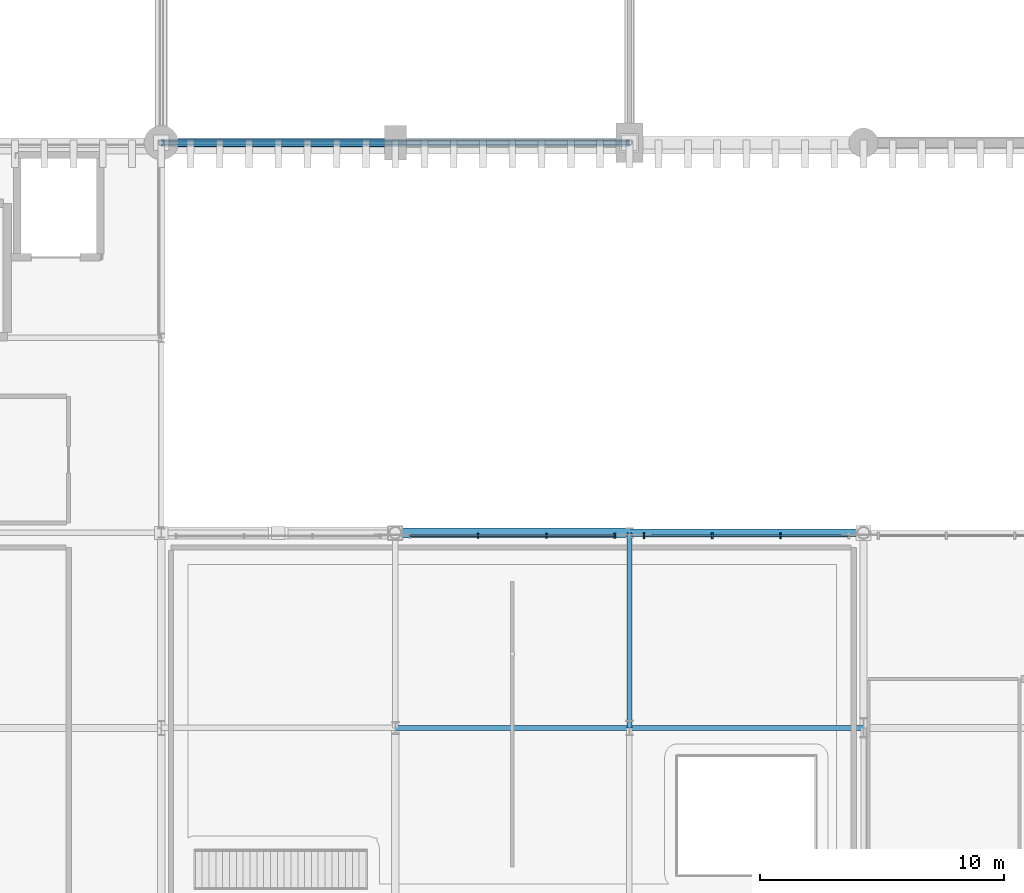
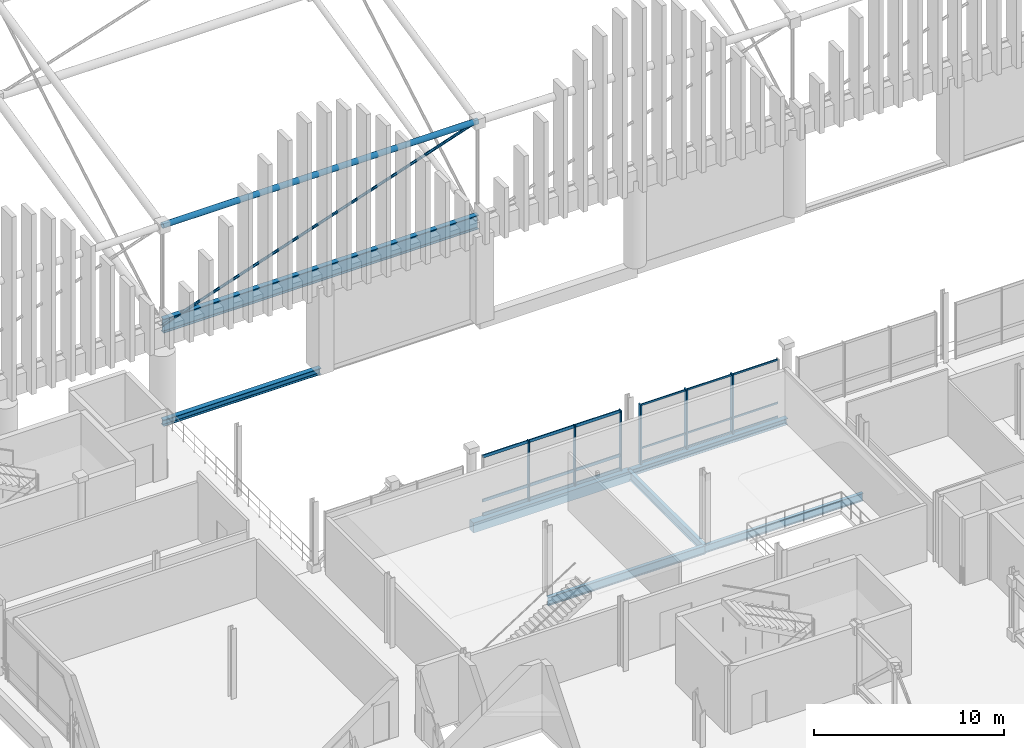
# One storey, part 32 of 193: 14 members, 7 beams, 2 elements without a shape of their own.
"""IFC4 building model written with IfcOpenShell, lengths in metres."""

from ifc_helpers import new_model, si_unit, direction, frame, origin, origin_2d, place, context, subcontext, project, spatial, rectangle, hollow_circle, i_section, extrude, material, material_profile, profile_set, type_object, element, aggregate, save


model = new_model("IFC4")

# Units and contexts
model_context = context("Model", 3, precision=1e-05, world=origin(), true_north=direction((0.0, 1.0)))
body_context = subcontext(model_context, "Body", "Model", "MODEL_VIEW")
ifc_project = project(units=[si_unit("LENGTHUNIT", "METRE"), si_unit("AREAUNIT", "SQUARE_METRE"), si_unit("VOLUMEUNIT", "CUBIC_METRE"), si_unit("PLANEANGLEUNIT", "RADIAN"), si_unit("MASSUNIT", "GRAM", prefix="KILO")], contexts=[model_context])

# Site, building, storey
site_placement = place(None, origin())
site = spatial("IfcSite", under=ifc_project, at=site_placement, CompositionType="ELEMENT")
building_placement = place(site_placement, origin())
building = spatial("IfcBuilding", under=site, at=building_placement, Name="Danafjord Basin Convention Centre", CompositionType="ELEMENT")
storey_placement = place(building_placement, frame((0.0, 0.0, 11.39990234375)))
storey = spatial("IfcBuildingStorey", under=building, at=storey_placement, Name="L02", CompositionType="ELEMENT", Elevation=11.39990234375)

# Beams
ifc_material_1 = material(Name="Steel S355", Category="steel")
ifc_material_profile_1 = material_profile(ifc_material_1, i_section(OverallWidth=0.300048828125, OverallDepth=0.89990234375, WebThickness=0.0185546875, FlangeThickness=0.034912109375, FilletRadius=0.030029296875, at=origin_2d()), Name="HEB 900")
ifc_profile_set_1 = profile_set([ifc_material_profile_1], Name="Steel S355")
beam_type_1 = type_object("IfcBeamType", Name="BEAM-BM-HEB900", PredefinedType="BEAM", material=ifc_profile_set_1)
beam_1_placement = place(storey_placement, frame((19.199951171875, 56.0, 6.050048828125), z_axis=(1.0, 0.0, 0.0), x_axis=(0.0, 1.0, 0.0)))
element("IfcBeam", 1, at=beam_1_placement, inside=storey, type_object=beam_type_1, Name="V1 space-frame perimeter ring girder", PredefinedType="BEAM", context=body_context, shape_type="SweptSolid", body=[
    extrude(i_section(OverallWidth=0.300048828125, OverallDepth=0.89990234375, WebThickness=0.0185546875, FlangeThickness=0.034912109375, FilletRadius=0.030029296875, at=origin_2d()), origin(), (0.0, 0.0, 1.0), 19.199951171875),
])
ifc_material_profile_2 = material_profile(ifc_material_1, i_section(OverallWidth=0.199951171875, OverallDepth=0.5, WebThickness=0.01025390625, FlangeThickness=0.01611328125, FilletRadius=0.02099609375, at=origin_2d()), Name="IPE 500")
ifc_profile_set_2 = profile_set([ifc_material_profile_2], Name="Steel S355")
beam_type_2 = type_object("IfcBeamType", Name="BEAM-BM-IPE500", PredefinedType="BEAM", material=ifc_profile_set_2)
beam_2_placement = place(storey_placement, frame((38.39990234375, 32.0, -0.5), z_axis=(1.0, 0.0, 0.0), x_axis=(0.0, 1.0, 0.0)))
element("IfcBeam", 2, at=beam_2_placement, inside=storey, type_object=beam_type_2, Name="L02 girder BM-IPE500", PredefinedType="BEAM", context=body_context, shape_type="SweptSolid", body=[
    extrude(i_section(OverallWidth=0.199951171875, OverallDepth=0.5, WebThickness=0.01025390625, FlangeThickness=0.01611328125, FilletRadius=0.02099609375, at=origin_2d()), origin(), (0.0, 0.0, 1.0), 9.60009765625),
])
ifc_material_profile_3 = material_profile(ifc_material_1, i_section(OverallWidth=0.2099609375, OverallDepth=0.550048828125, WebThickness=0.010986328125, FlangeThickness=0.01708984375, FilletRadius=0.02392578125, at=origin_2d()), Name="IPE 550")
ifc_profile_set_3 = profile_set([ifc_material_profile_3], Name="Steel S355")
beam_type_3 = type_object("IfcBeamType", Name="BEAM-BM-IPE550", PredefinedType="BEAM", material=ifc_profile_set_3)
beam_3_placement = place(storey_placement, frame((28.800048828125, 32.0, -0.52490234375), z_axis=(1.0, 0.0, 0.0), x_axis=(0.0, 1.0, 0.0)))
element("IfcBeam", 3, at=beam_3_placement, inside=storey, type_object=beam_type_3, Name="L02 girder BM-IPE550", PredefinedType="BEAM", context=body_context, shape_type="SweptSolid", body=[
    extrude(i_section(OverallWidth=0.2099609375, OverallDepth=0.550048828125, WebThickness=0.010986328125, FlangeThickness=0.01708984375, FilletRadius=0.02392578125, at=origin_2d()), origin(), (0.0, 0.0, 1.0), 9.599853515625),
])
beam_4_placement = place(storey_placement, frame((38.39990234375, 32.0, -0.52490234375), z_axis=(0.0, 1.0, 0.0), x_axis=(-1.0, 0.0, 0.0)))
element("IfcBeam", 4, at=beam_4_placement, inside=storey, type_object=beam_type_3, Name="L02 transverse girder BM-IPE550", PredefinedType="BEAM", context=body_context, shape_type="SweptSolid", body=[
    extrude(i_section(OverallWidth=0.2099609375, OverallDepth=0.550048828125, WebThickness=0.010986328125, FlangeThickness=0.01708984375, FilletRadius=0.02392578125, at=origin_2d()), origin(), (0.0, 0.0, 1.0), 8.0),
])
ifc_material_profile_4 = material_profile(ifc_material_1, i_section(OverallWidth=0.300048828125, OverallDepth=0.39990234375, WebThickness=0.013427734375, FlangeThickness=0.02392578125, FilletRadius=0.027099609375, at=origin_2d()), Name="HEB 400")
ifc_profile_set_4 = profile_set([ifc_material_profile_4], Name="Steel S355")
beam_type_4 = type_object("IfcBeamType", Name="BEAM-SP-HEB400", PredefinedType="SPANDREL", material=ifc_profile_set_4)
for number, where, z_axis, x_axis, name in (
    (5, (19.199951171875, 56.0, -0.199951171875), (1.0, 0.0, 0.0), (0.0, 1.0, 0.0), "L02 girder SP-HEB400"),
    (6, (38.39990234375, 40.0, -0.449951171875), (1.0, 0.0, 0.0), (0.0, 1.0, 0.0), "L02 girder SP-HEB400"),
):
    element("IfcBeam", number, at=place(storey_placement, frame(where, z_axis=z_axis, x_axis=x_axis)), inside=storey, type_object=beam_type_4, Name=name, PredefinedType="SPANDREL", context=body_context, shape_type="SweptSolid", body=[
        extrude(i_section(OverallWidth=0.300048828125, OverallDepth=0.39990234375, WebThickness=0.013427734375, FlangeThickness=0.02392578125, FilletRadius=0.027099609375, at=origin_2d()), origin(), (0.0, 0.0, 1.0), 9.60009765625),
    ])
ifc_material_2 = material(Name="Precast concrete C45/55", Category="concrete")
ifc_material_profile_5 = material_profile(ifc_material_2, rectangle(XDim=0.39990234375, YDim=0.64990234375, at=origin_2d()), Name="PCB 400x650")
ifc_profile_set_5 = profile_set([ifc_material_profile_5], Name="Precast concrete C45/55")
beam_type_5 = type_object("IfcBeamType", Name="BEAM-SP-PCB650", PredefinedType="SPANDREL", material=ifc_profile_set_5)
beam_5_placement = place(storey_placement, frame((28.800048828125, 40.0, -0.574951171875), z_axis=(1.0, 0.0, 0.0), x_axis=(0.0, 1.0, 0.0)))
element("IfcBeam", 7, at=beam_5_placement, inside=storey, type_object=beam_type_5, Name="L02 girder SP-PCB650", PredefinedType="SPANDREL", context=body_context, shape_type="SweptSolid", body=[
    extrude(rectangle(XDim=0.39990234375, YDim=0.64990234375, at=origin_2d()), origin(), (0.0, 0.0, 1.0), 9.599853515625),
])

# Member
ifc_material_profile_6 = material_profile(ifc_material_1, hollow_circle(Radius=0.177734375, WallThickness=0.01611328125, at=origin_2d()), Name="CHS 355.6x16.0")
ifc_profile_set_6 = profile_set([ifc_material_profile_6], Name="Steel S355")
member_type_1 = type_object("IfcMemberType", Name="MEM-CH-CHS355", PredefinedType="CHORD", material=ifc_profile_set_6)
member_1_placement = place(storey_placement, frame((19.199951171875, 56.0, 12.47509765625), z_axis=(1.0, 0.0, 0.0), x_axis=(0.0, 1.0, 0.0)))
element("IfcMember", 8, at=member_1_placement, inside=storey, type_object=member_type_1, Name="V1 roof truss longitudinal top chord", PredefinedType="CHORD", context=body_context, shape_type="SweptSolid", body=[
    extrude(hollow_circle(Radius=0.177734375, WallThickness=0.01611328125, at=origin_2d()), origin(), (0.0, 0.0, 1.0), 19.199951171875),
])

# Curtain wall, members
ifc_material_3 = material(Name="Anodised aluminium and triple glazing", Category="aluminium")
curtain_wall_type = type_object("IfcCurtainWallType", Name="CW-CW-TERR", PredefinedType="NOTDEFINED", material=ifc_material_3)
curtain_wall_1_placement = place(storey_placement, origin())
curtain_wall_1 = element("IfcCurtainWall", 9, at=curtain_wall_1_placement, inside=storey, type_object=curtain_wall_type, Name="L02 CW-TERR unitised curtain wall bay 62", PredefinedType="NOTDEFINED")
ifc_material_4 = material(Name="Anodised aluminium EN AW-6060", Category="aluminium")
ifc_material_profile_7 = material_profile(ifc_material_4, rectangle(XDim=0.06494140625, YDim=0.219970703125, at=origin_2d()), Name="MULL 65x220")
ifc_profile_set_7 = profile_set([ifc_material_profile_7], Name="Anodised aluminium EN AW-6060")
member_type_2 = type_object("IfcMemberType", Name="MEM-ML-220", PredefinedType="MULLION", material=ifc_profile_set_7)
member_2_placement = place(storey_placement, frame((37.800048828125, 39.8798828125, -0.02490234375), z_axis=(0.0, 0.0, 1.0), x_axis=(-1.0, 0.0, 0.0)))
member_2 = element("IfcMember", 10, at=member_2_placement, type_object=member_type_2, Name="CW-L02-062 mullion 1", PredefinedType="MULLION", context=body_context, shape_type="SweptSolid", body=[
    extrude(rectangle(XDim=0.06494140625, YDim=0.219970703125, at=origin_2d()), origin(), (0.0, 0.0, 1.0), 3.885009765625),
])
member_3_placement = place(storey_placement, frame((35.0, 39.8798828125, -0.02490234375), z_axis=(0.0, 0.0, 1.0), x_axis=(-1.0, 0.0, 0.0)))
member_3 = element("IfcMember", 11, at=member_3_placement, type_object=member_type_2, Name="CW-L02-062 mullion 2", PredefinedType="MULLION", context=body_context, shape_type="SweptSolid", body=[
    extrude(rectangle(XDim=0.06494140625, YDim=0.219970703125, at=origin_2d()), origin(), (0.0, 0.0, 1.0), 3.885009765625),
])
member_4_placement = place(storey_placement, frame((32.199951171875, 39.8798828125, -0.02490234375), z_axis=(0.0, 0.0, 1.0), x_axis=(-1.0, 0.0, 0.0)))
member_4 = element("IfcMember", 12, at=member_4_placement, type_object=member_type_2, Name="CW-L02-062 mullion 3", PredefinedType="MULLION", context=body_context, shape_type="SweptSolid", body=[
    extrude(rectangle(XDim=0.06494140625, YDim=0.219970703125, at=origin_2d()), origin(), (0.0, 0.0, 1.0), 3.885009765625),
])

curtain_wall_2_placement = place(storey_placement, origin())
curtain_wall_2 = element("IfcCurtainWall", 13, at=curtain_wall_2_placement, inside=storey, type_object=curtain_wall_type, Name="L02 CW-TERR unitised curtain wall bay 63", PredefinedType="NOTDEFINED")
ifc_material_profile_8 = material_profile(ifc_material_4, rectangle(XDim=0.070068359375, YDim=0.260009765625, at=origin_2d()), Name="MULL 70x260")
ifc_profile_set_8 = profile_set([ifc_material_profile_8], Name="Anodised aluminium EN AW-6060")
member_type_3 = type_object("IfcMemberType", Name="MEM-ML-260", PredefinedType="MULLION", material=ifc_profile_set_8)
member_5_placement = place(storey_placement, frame((44.60009765625, 39.8798828125, -0.02490234375), z_axis=(0.0, 0.0, 1.0), x_axis=(-1.0, 0.0, 0.0)))
member_5 = element("IfcMember", 14, at=member_5_placement, type_object=member_type_3, Name="CW-L02-063 mullion 2", PredefinedType="MULLION", context=body_context, shape_type="SweptSolid", body=[
    extrude(rectangle(XDim=0.070068359375, YDim=0.260009765625, at=origin_2d()), origin(), (0.0, 0.0, 1.0), 3.8349609375),
])
member_6_placement = place(storey_placement, frame((41.800048828125, 39.8798828125, -0.02490234375), z_axis=(0.0, 0.0, 1.0), x_axis=(-1.0, 0.0, 0.0)))
member_6 = element("IfcMember", 15, at=member_6_placement, type_object=member_type_3, Name="CW-L02-063 mullion 3", PredefinedType="MULLION", context=body_context, shape_type="SweptSolid", body=[
    extrude(rectangle(XDim=0.070068359375, YDim=0.260009765625, at=origin_2d()), origin(), (0.0, 0.0, 1.0), 3.8349609375),
])
member_7_placement = place(storey_placement, frame((39.0, 39.8798828125, -0.02490234375), z_axis=(0.0, 0.0, 1.0), x_axis=(-1.0, 0.0, 0.0)))
member_7 = element("IfcMember", 16, at=member_7_placement, type_object=member_type_3, Name="CW-L02-063 mullion 4", PredefinedType="MULLION", context=body_context, shape_type="SweptSolid", body=[
    extrude(rectangle(XDim=0.070068359375, YDim=0.260009765625, at=origin_2d()), origin(), (0.0, 0.0, 1.0), 3.8349609375),
])
ifc_material_profile_9 = material_profile(ifc_material_4, rectangle(XDim=0.06005859375, YDim=0.110107421875, at=origin_2d()), Name="TRAN 60x110")
ifc_profile_set_9 = profile_set([ifc_material_profile_9], Name="Anodised aluminium EN AW-6060")
member_type_4 = type_object("IfcMemberType", Name="MEM-TR-110", PredefinedType="USERDEFINED", material=ifc_profile_set_9)
member_8_placement = place(storey_placement, frame((47.39990234375, 39.8798828125, 0.06005859375), z_axis=(-1.0, 0.0, 0.0), x_axis=(0.0, -1.0, 0.0)))
member_8 = element("IfcMember", 17, at=member_8_placement, type_object=member_type_4, Name="CW-L02-063 transom 1", ObjectType="TRANSOM", PredefinedType="USERDEFINED", context=body_context, shape_type="SweptSolid", body=[
    extrude(rectangle(XDim=0.06005859375, YDim=0.110107421875, at=origin_2d()), origin(), (0.0, 0.0, 1.0), 8.39990234375),
])
member_9_placement = place(storey_placement, frame((47.39990234375, 39.8798828125, 0.9501953125), z_axis=(-1.0, 0.0, 0.0), x_axis=(0.0, -1.0, 0.0)))
member_9 = element("IfcMember", 18, at=member_9_placement, type_object=member_type_4, Name="CW-L02-063 transom 2", ObjectType="TRANSOM", PredefinedType="USERDEFINED", context=body_context, shape_type="SweptSolid", body=[
    extrude(rectangle(XDim=0.06005859375, YDim=0.110107421875, at=origin_2d()), origin(), (0.0, 0.0, 1.0), 8.39990234375),
])
member_10_placement = place(storey_placement, frame((47.39990234375, 39.8798828125, 3.739990234375), z_axis=(-1.0, 0.0, 0.0), x_axis=(0.0, -1.0, 0.0)))
member_10 = element("IfcMember", 19, at=member_10_placement, type_object=member_type_4, Name="CW-L02-063 transom 3", ObjectType="TRANSOM", PredefinedType="USERDEFINED", context=body_context, shape_type="SweptSolid", body=[
    extrude(rectangle(XDim=0.06005859375, YDim=0.110107421875, at=origin_2d()), origin(), (0.0, 0.0, 1.0), 8.39990234375),
])
aggregate(curtain_wall_2, [member_5, member_6, member_7, member_8, member_9, member_10])

# Member
ifc_material_profile_10 = material_profile(ifc_material_4, rectangle(XDim=0.06494140625, YDim=0.18994140625, at=origin_2d()), Name="TRAN 65x190")
ifc_profile_set_10 = profile_set([ifc_material_profile_10], Name="Anodised aluminium EN AW-6060")
member_type_5 = type_object("IfcMemberType", Name="MEM-TR-190", PredefinedType="USERDEFINED", material=ifc_profile_set_10)
member_11_placement = place(storey_placement, frame((37.800048828125, 39.8798828125, 0.06005859375), z_axis=(-1.0, 0.0, 0.0), x_axis=(0.0, -1.0, 0.0)))
member_11 = element("IfcMember", 20, at=member_11_placement, type_object=member_type_5, Name="CW-L02-062 transom 1", ObjectType="TRANSOM", PredefinedType="USERDEFINED", context=body_context, shape_type="SweptSolid", body=[
    extrude(rectangle(XDim=0.06494140625, YDim=0.18994140625, at=origin_2d()), origin(), (0.0, 0.0, 1.0), 8.400146484375),
])

member_12_placement = place(storey_placement, frame((37.800048828125, 39.8798828125, 0.9501953125), z_axis=(-1.0, 0.0, 0.0), x_axis=(0.0, -1.0, 0.0)))
member_12 = element("IfcMember", 21, at=member_12_placement, type_object=member_type_5, Name="CW-L02-062 transom 2", ObjectType="TRANSOM", PredefinedType="USERDEFINED", context=body_context, shape_type="SweptSolid", body=[
    extrude(rectangle(XDim=0.06494140625, YDim=0.18994140625, at=origin_2d()), origin(), (0.0, 0.0, 1.0), 8.400146484375),
])

member_13_placement = place(storey_placement, frame((37.800048828125, 39.8798828125, 3.7900390625), z_axis=(-1.0, 0.0, 0.0), x_axis=(0.0, -1.0, 0.0)))
member_13 = element("IfcMember", 22, at=member_13_placement, type_object=member_type_5, Name="CW-L02-062 transom 3", ObjectType="TRANSOM", PredefinedType="USERDEFINED", context=body_context, shape_type="SweptSolid", body=[
    extrude(rectangle(XDim=0.06494140625, YDim=0.18994140625, at=origin_2d()), origin(), (0.0, 0.0, 1.0), 8.400146484375),
])

aggregate(curtain_wall_1, [member_2, member_3, member_4, member_11, member_12, member_13])

ifc_material_profile_11 = material_profile(ifc_material_1, hollow_circle(Radius=0.084228515625, WallThickness=0.008056640625, at=origin_2d()), Name="CHS 168.3x8.0")
ifc_profile_set_11 = profile_set([ifc_material_profile_11], Name="Steel S355")
member_type_6 = type_object("IfcMemberType", Name="MEM-WB-CHS168", PredefinedType="MEMBER", material=ifc_profile_set_11)
member_14_placement = place(storey_placement, frame((19.199951171875, 56.0, 6.050048828125), z_axis=(0.948311244058, 0.0, 0.317341747007), x_axis=(0.0, 1.0, 0.0)))
element("IfcMember", 23, at=member_14_placement, inside=storey, type_object=member_type_6, Name="V1 space-frame longitudinal web", PredefinedType="MEMBER", context=body_context, shape_type="SweptSolid", body=[
    extrude(hollow_circle(Radius=0.084228515625, WallThickness=0.008056640625, at=origin_2d()), origin(), (0.0, 0.0, 1.0), 20.24658203125),
])

save(model, "model.ifc")
